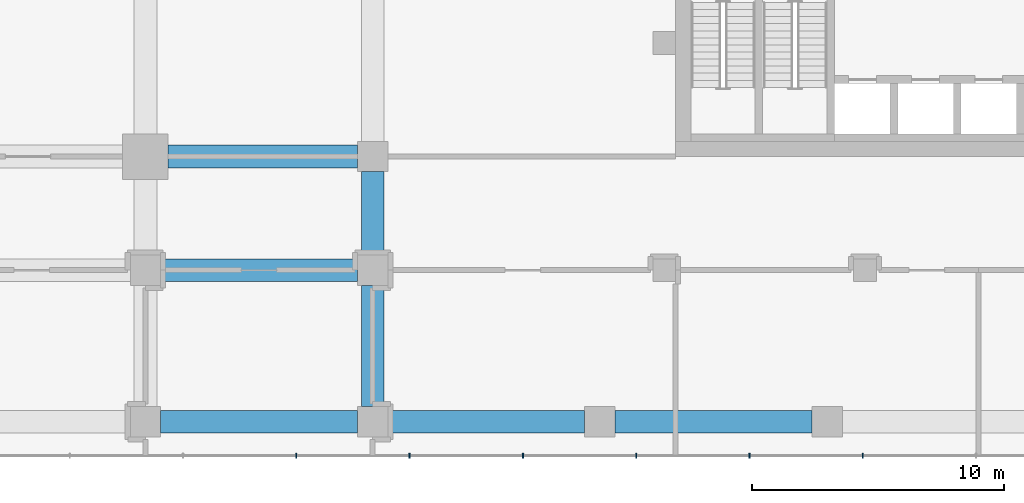
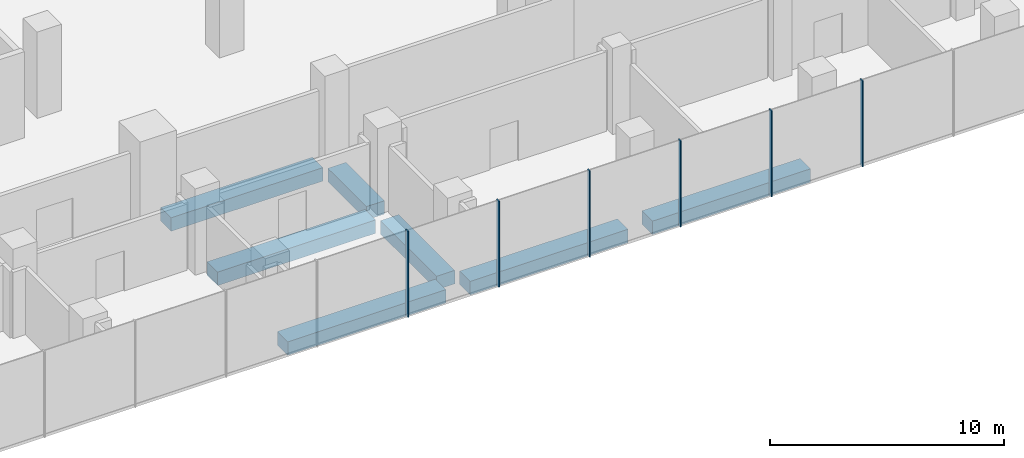
# One storey, part 13 of 43: 7 beams, 6 members, 1 element without a shape of its own.
"""IFC4 building model written with IfcOpenShell, lengths in metres."""

from ifc_helpers import new_model, si_unit, direction, frame, origin, origin_2d, place, context, subcontext, project, spatial, rectangle, extrude, material, layer, layer_set, material_profile, profile_set, type_object, element, aggregate, save


model = new_model("IFC4")

# Units and contexts
model_context = context("Model", 3, precision=1e-05, world=origin(), true_north=direction((0.0, 1.0)))
body_context = subcontext(model_context, "Body", "Model", "MODEL_VIEW")
ifc_project = project(units=[si_unit("LENGTHUNIT", "METRE"), si_unit("AREAUNIT", "SQUARE_METRE"), si_unit("VOLUMEUNIT", "CUBIC_METRE"), si_unit("PLANEANGLEUNIT", "RADIAN"), si_unit("MASSUNIT", "GRAM", prefix="KILO")], contexts=[model_context])

# Site, building, storey
site_placement = place(None, origin())
site = spatial("IfcSite", under=ifc_project, at=site_placement, CompositionType="ELEMENT")
building_placement = place(site_placement, origin())
building = spatial("IfcBuilding", under=site, at=building_placement, Name="Plateau Cross Towers", CompositionType="ELEMENT")
storey_placement = place(building_placement, frame((0.0, 0.0, 12.800048828125)))
storey = spatial("IfcBuildingStorey", under=building, at=storey_placement, Name="L02", CompositionType="ELEMENT", Elevation=12.800048828125)

# Curtain wall, members
ifc_material_1 = material(Name="Dark low-iron laminated glass", Category="glass")
ifc_layer = layer(ifc_material_1, 0.300048828125)
ifc_layer_set = layer_set([ifc_layer], Name="Dark low-iron laminated glass")
curtain_wall_type = type_object("IfcCurtainWallType", Name="Curtain wall structural silicone CW-C", PredefinedType="NOTDEFINED", material=ifc_layer_set)
curtain_wall_placement = place(storey_placement, origin())
curtain_wall = element("IfcCurtainWall", 1, at=curtain_wall_placement, inside=storey, type_object=curtain_wall_type, Name="ENV/P/L02/P-28_-118", PredefinedType="NOTDEFINED")
ifc_material_2 = material(Name="Black anodised aluminium", Category="aluminium")
ifc_material_profile_1 = material_profile(ifc_material_2, rectangle(XDim=0.050048828125, YDim=0.199951171875, at=origin_2d()), Name="MULLION 50x200")
ifc_profile_set_1 = profile_set([ifc_material_profile_1], Name="Black anodised aluminium")
member_type = type_object("IfcMemberType", Name="Mullion 50x200 structural silicone", PredefinedType="MULLION", material=ifc_profile_set_1)
member_1_placement = place(storey_placement, frame((59.97509765625, -11.85009765625, -0.35009765625), z_axis=(0.0, 0.0, 1.0), x_axis=(1.0, 0.0, 0.0)))
member_1 = element("IfcMember", 2, at=member_1_placement, type_object=member_type, Name="CW-C mullion 15", PredefinedType="MULLION", context=body_context, shape_type="SweptSolid", body=[
    extrude(rectangle(XDim=0.050048828125, YDim=0.199951171875, at=origin_2d()), origin(), (0.0, 0.0, 1.0), 4.5),
])
member_2_placement = place(storey_placement, frame((64.46240234375, -11.85009765625, -0.35009765625), z_axis=(0.0, 0.0, 1.0), x_axis=(1.0, 0.0, 0.0)))
member_2 = element("IfcMember", 3, at=member_2_placement, type_object=member_type, Name="CW-C mullion 16", PredefinedType="MULLION", context=body_context, shape_type="SweptSolid", body=[
    extrude(rectangle(XDim=0.050048828125, YDim=0.199951171875, at=origin_2d()), origin(), (0.0, 0.0, 1.0), 4.5),
])
member_3_placement = place(storey_placement, frame((68.949951171875, -11.85009765625, -0.35009765625), z_axis=(0.0, 0.0, 1.0), x_axis=(1.0, 0.0, 0.0)))
member_3 = element("IfcMember", 4, at=member_3_placement, type_object=member_type, Name="CW-C mullion 17", PredefinedType="MULLION", context=body_context, shape_type="SweptSolid", body=[
    extrude(rectangle(XDim=0.050048828125, YDim=0.199951171875, at=origin_2d()), origin(), (0.0, 0.0, 1.0), 4.5),
])
member_4_placement = place(storey_placement, frame((73.4375, -11.85009765625, -0.35009765625), z_axis=(0.0, 0.0, 1.0), x_axis=(1.0, 0.0, 0.0)))
member_4 = element("IfcMember", 5, at=member_4_placement, type_object=member_type, Name="CW-C mullion 18", PredefinedType="MULLION", context=body_context, shape_type="SweptSolid", body=[
    extrude(rectangle(XDim=0.050048828125, YDim=0.199951171875, at=origin_2d()), origin(), (0.0, 0.0, 1.0), 4.5),
])
member_5_placement = place(storey_placement, frame((77.925048828125, -11.85009765625, -0.35009765625), z_axis=(0.0, 0.0, 1.0), x_axis=(1.0, 0.0, 0.0)))
member_5 = element("IfcMember", 6, at=member_5_placement, type_object=member_type, Name="CW-C mullion 19", PredefinedType="MULLION", context=body_context, shape_type="SweptSolid", body=[
    extrude(rectangle(XDim=0.050048828125, YDim=0.199951171875, at=origin_2d()), origin(), (0.0, 0.0, 1.0), 4.5),
])
member_6_placement = place(storey_placement, frame((82.41259765625, -11.85009765625, -0.35009765625), z_axis=(0.0, 0.0, 1.0), x_axis=(1.0, 0.0, 0.0)))
member_6 = element("IfcMember", 7, at=member_6_placement, type_object=member_type, Name="CW-C mullion 20", PredefinedType="MULLION", context=body_context, shape_type="SweptSolid", body=[
    extrude(rectangle(XDim=0.050048828125, YDim=0.199951171875, at=origin_2d()), origin(), (0.0, 0.0, 1.0), 4.5),
])
aggregate(curtain_wall, [member_1, member_2, member_3, member_4, member_5, member_6])

# Beams
ifc_material_3 = material(Name="Concrete C50/60", Category="concrete")
ifc_material_profile_2 = material_profile(ifc_material_3, rectangle(XDim=0.89990234375, YDim=0.699951171875, at=origin_2d()), Name="RC 900x700")
ifc_profile_set_2 = profile_set([ifc_material_profile_2], Name="Concrete C50/60")
beam_type = type_object("IfcBeamType", Name="Podium band beam RC 900x700", PredefinedType="BEAM", material=ifc_profile_set_2)
for number, where, z_axis, x_axis, name in (
    (8, (54.60009765625, -10.5, -0.699951171875), (1.0, 0.0, 0.0), (0.0, 1.0, 0.0), "PB08@L02"),
    (9, (63.60009765625, -10.5, -0.699951171875), (1.0, 0.0, 0.0), (0.0, 1.0, 0.0), "PB09@L02"),
    (10, (72.60009765625, -10.5, -0.699951171875), (1.0, 0.0, 0.0), (0.0, 1.0, 0.0), "PB10@L02"),
    (11, (54.60009765625, -4.5, -0.699951171875), (1.0, 0.0, 0.0), (0.0, 1.0, 0.0), "PB21@L02"),
):
    element("IfcBeam", number, at=place(storey_placement, frame(where, z_axis=z_axis, x_axis=x_axis)), inside=storey, type_object=beam_type, Name=name, PredefinedType="BEAM", context=body_context, shape_type="SweptSolid", body=[
        extrude(rectangle(XDim=0.89990234375, YDim=0.699951171875, at=origin_2d()), origin(), (0.0, 0.0, 1.0), 7.7998046875),
    ])
beam_1_placement = place(storey_placement, frame((54.89990234375, 0.0, -0.699951171875), z_axis=(1.0, 0.0, 0.0), x_axis=(0.0, 1.0, 0.0)))
element("IfcBeam", 12, at=beam_1_placement, inside=storey, type_object=beam_type, Name="PB25@L02", PredefinedType="BEAM", context=body_context, shape_type="SweptSolid", body=[
    extrude(rectangle(XDim=0.89990234375, YDim=0.699951171875, at=origin_2d()), origin(), (0.0, 0.0, 1.0), 7.5),
])
beam_2_placement = place(storey_placement, frame((63.0, -9.89990234375, -0.699951171875), z_axis=(0.0, 1.0, 0.0), x_axis=(-1.0, 0.0, 0.0)))
element("IfcBeam", 13, at=beam_2_placement, inside=storey, type_object=beam_type, Name="PB148@L02", PredefinedType="BEAM", context=body_context, shape_type="SweptSolid", body=[
    extrude(rectangle(XDim=0.89990234375, YDim=0.699951171875, at=origin_2d()), origin(), (0.0, 0.0, 1.0), 4.7998046875),
])
beam_3_placement = place(storey_placement, frame((63.0, -3.89990234375, -0.699951171875), z_axis=(0.0, 1.0, 0.0), x_axis=(-1.0, 0.0, 0.0)))
element("IfcBeam", 14, at=beam_3_placement, inside=storey, type_object=beam_type, Name="PB149@L02", PredefinedType="BEAM", context=body_context, shape_type="SweptSolid", body=[
    extrude(rectangle(XDim=0.89990234375, YDim=0.699951171875, at=origin_2d()), origin(), (0.0, 0.0, 1.0), 3.2998046875),
])

save(model, "model.ifc")
